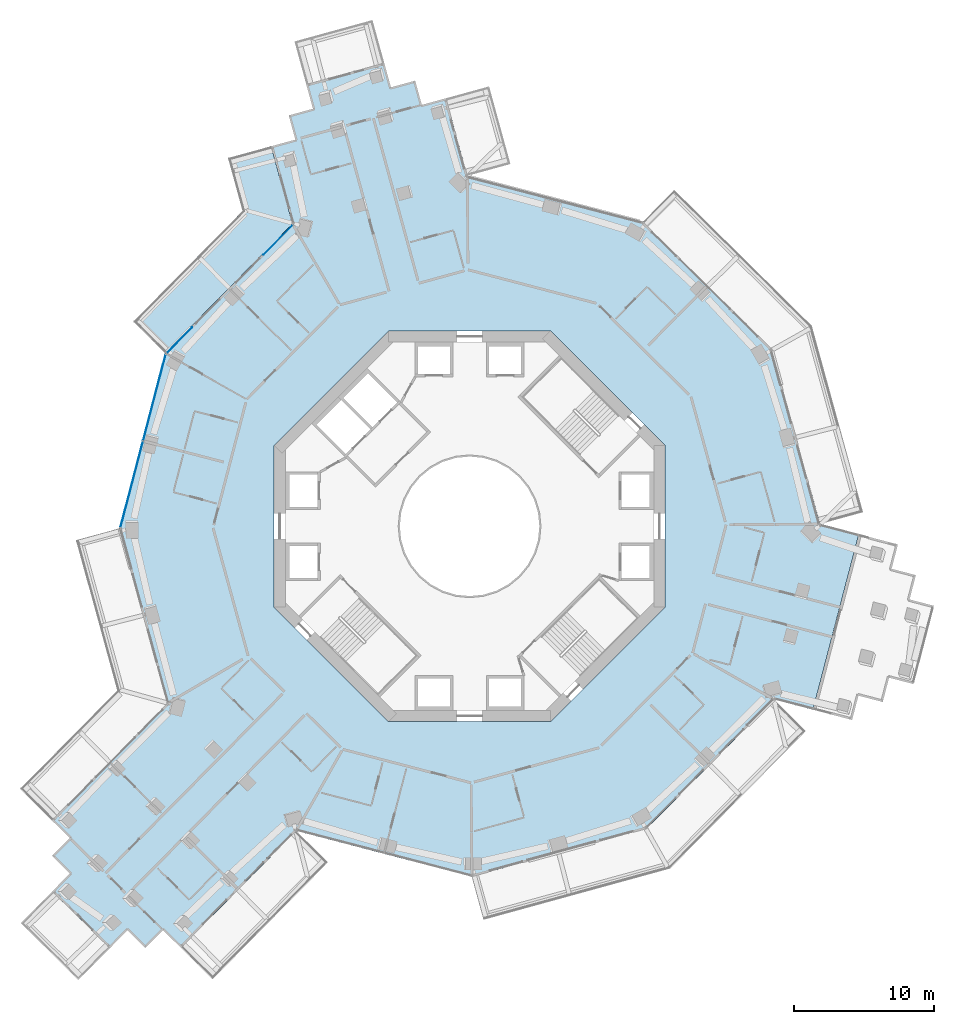
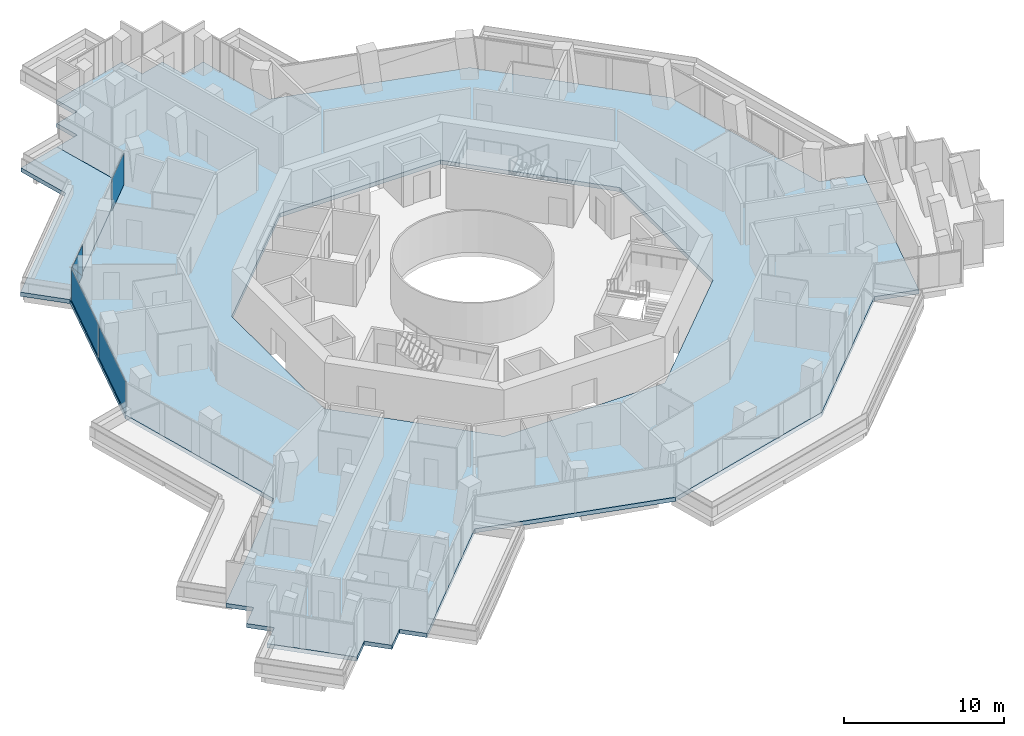
# One storey, part 15 of 26: 5 plates, 2 slabs, 2 elements without a shape of their own.
"""IFC4 building model written with IfcOpenShell, lengths in metres."""

import ifcopenshell
import ifcopenshell.guid

model = None  # the IFC model being written
_history = None  # IfcOwnerHistory: only IFC2X3 demands one
_inside = {}  # id of a spatial element -> (the spatial element, [elements in it])
_under = {}  # id of a project, library or spatial element -> (it, [spatial elements below it])
_declared = {}  # id of a project -> (the project, [libraries it declares])
_typed = {}  # id of a type object -> (the type object, [elements of that type])
_made_of = {}  # id of a material, layer set ... -> (it, [elements and type objects made of it])


def new_model(schema):
    """Start an empty IFC model of exactly this schema.

    Asked for "IFC4X3", IfcOpenShell would pick the latest addendum, in which some entities
    have other attributes; the version numbers below select the first issue.
    IFC2X3 requires an IfcOwnerHistory on every rooted entity: one is made here for all.
    """
    global model, _history
    if schema == "IFC4X3":
        model = ifcopenshell.file(schema_version=(4, 3, 0, 0))
    else:
        model = ifcopenshell.file(schema=schema)
    _inside.clear()
    _under.clear()
    _declared.clear()
    _typed.clear()
    _made_of.clear()
    _history = None
    if model.schema == "IFC2X3":
        org = make("IfcOrganization", Name="unknown")
        user = make(
            "IfcPersonAndOrganization",
            ThePerson=make("IfcPerson", FamilyName="unknown"),
            TheOrganization=org,
        )
        app = make(
            "IfcApplication",
            ApplicationDeveloper=org,
            Version="unknown",
            ApplicationFullName="unknown",
            ApplicationIdentifier="unknown",
        )
        _history = make(
            "IfcOwnerHistory",
            OwningUser=user,
            OwningApplication=app,
            ChangeAction="ADDED",
            CreationDate=0,
        )
    return model


def make(cls, **values):
    """One entity of the class cls with the attributes given. An attribute that is None is left unset."""
    return model.create_entity(
        cls, **{name: value for name, value in values.items() if value is not None}
    )


def rooted(cls, **values):
    """An entity with a GlobalId (a new one), such as an element, a storey or a relation."""
    return make(cls, GlobalId=ifcopenshell.guid.new(), OwnerHistory=_history, **values)


def si_unit(unit_type, name, prefix=None):
    """IfcSIUnit, for example si_unit("LENGTHUNIT", "METRE", prefix="MILLI")."""
    return make("IfcSIUnit", UnitType=unit_type, Prefix=prefix, Name=name)


def assignment(units):
    """IfcUnitAssignment: the units of a project."""
    return None if units is None else make("IfcUnitAssignment", Units=units)


def point(xyz):
    """IfcCartesianPoint."""
    return None if xyz is None else make("IfcCartesianPoint", Coordinates=xyz)


def direction(xyz):
    """IfcDirection."""
    return None if xyz is None else make("IfcDirection", DirectionRatios=xyz)


def frame(location, z_axis=None, x_axis=None):
    """IfcAxis2Placement3D, a coordinate frame: its origin and axes. An axis left out is left unset."""
    return make(
        "IfcAxis2Placement3D",
        Location=point(location),
        Axis=direction(z_axis),
        RefDirection=direction(x_axis),
    )


def frame_2d(location, x_axis=None):
    """IfcAxis2Placement2D, a coordinate frame in the plane: its origin and x axis."""
    return make(
        "IfcAxis2Placement2D", Location=point(location), RefDirection=direction(x_axis)
    )


def origin():
    """The frame at (0, 0, 0) with its axes left unset."""
    return frame((0.0, 0.0, 0.0))


def origin_2d():
    """The frame at (0, 0) in the plane with its x axis left unset."""
    return frame_2d((0.0, 0.0))


def place(relative_to, where):
    """IfcLocalPlacement: puts the frame where relative to a parent placement (None: the world)."""
    return make(
        "IfcLocalPlacement", PlacementRelTo=relative_to, RelativePlacement=where
    )


def context(
    kind, dimensions, precision=None, world=None, true_north=None, identifier=None
):
    """IfcGeometricRepresentationContext, for example the 3D "Model" context."""
    return make(
        "IfcGeometricRepresentationContext",
        ContextIdentifier=identifier,
        ContextType=kind,
        CoordinateSpaceDimension=dimensions,
        Precision=precision,
        WorldCoordinateSystem=world,
        TrueNorth=true_north,
    )


def subcontext(parent, identifier, kind, view, scale=None):
    """IfcGeometricRepresentationSubContext, for example "Body" below "Model"."""
    return make(
        "IfcGeometricRepresentationSubContext",
        ContextIdentifier=identifier,
        ContextType=kind,
        ParentContext=parent,
        TargetScale=scale,
        TargetView=view,
    )


def project(units=None, contexts=None):
    """IfcProject with its units and contexts."""
    return rooted(
        "IfcProject",
        Name="project",
        RepresentationContexts=contexts,
        UnitsInContext=assignment(units),
    )


def spatial(cls, under=None, at=None, **own):
    """A site, building, storey or space (cls), placed at a placement, below another one or the project."""
    s = rooted(cls, ObjectPlacement=at, **own)
    if under is not None:
        _under.setdefault(under.id(), (under, []))[1].append(s)
    return s


def polyline(points):
    """IfcPolyline through the points."""
    return make("IfcPolyline", Points=[point(p) for p in points])


def profile(cls, at=None, kind="AREA", **sizes):
    """A parametric profile (cls). Its sizes go by their IFC names, for example OverallWidth=200.0."""
    return make(cls, ProfileType=kind, Position=at, **sizes)


def rectangle(**sizes):
    """IfcRectangleProfileDef."""
    return profile("IfcRectangleProfileDef", **sizes)


def outline(outer, holes=None, kind="AREA"):
    """IfcArbitraryClosedProfileDef: a profile drawn as a closed curve; with holes, ...WithVoids."""
    if holes is None:
        return make("IfcArbitraryClosedProfileDef", ProfileType=kind, OuterCurve=outer)
    return make(
        "IfcArbitraryProfileDefWithVoids",
        ProfileType=kind,
        OuterCurve=outer,
        InnerCurves=holes,
    )


def extrude(swept, where, along, depth):
    """IfcExtrudedAreaSolid: the profile swept, set in the frame where, extruded along a direction by depth."""
    return make(
        "IfcExtrudedAreaSolid",
        SweptArea=swept,
        Position=where,
        ExtrudedDirection=direction(along),
        Depth=depth,
    )


def shape(context_of_items, identifier, shape_type, items):
    """IfcShapeRepresentation: the items that make up one representation, for example the "Body"."""
    return make(
        "IfcShapeRepresentation",
        ContextOfItems=context_of_items,
        RepresentationIdentifier=identifier,
        RepresentationType=shape_type,
        Items=items,
    )


def material(Name=None, Category=None):
    """IfcMaterial."""
    return make("IfcMaterial", Name=Name, Category=Category)


def layer(
    of_material, thickness, ventilated=None, Name=None, Category=None, Priority=None
):
    """IfcMaterialLayer: one layer of a wall or slab, of a material (None: an air gap)."""
    return make(
        "IfcMaterialLayer",
        Material=of_material,
        LayerThickness=thickness,
        IsVentilated=ventilated,
        Name=Name,
        Category=Category,
        Priority=Priority,
    )


def layer_set(layers, Name=None):
    """IfcMaterialLayerSet."""
    return make("IfcMaterialLayerSet", MaterialLayers=layers, LayerSetName=Name)


def made_of(thing, what):
    """Note that an element or type object is made of a material, layer set ...; save() writes the relation."""
    if what is not None:
        _made_of.setdefault(what.id(), (what, []))[1].append(thing)
    return thing


def type_object(cls, material=None, **own):
    """A type object (cls), such as IfcWallType, which elements share."""
    return made_of(rooted(cls, **own), material)


def element(
    cls,
    number,
    at=None,
    inside=None,
    cuts=None,
    type_object=None,
    material=None,
    context=None,
    identifier="Body",
    shape_type=None,
    held_by="IfcProductDefinitionShape",
    body=None,
    shapes=None,
    **own,
):
    """One element of the class cls, such as IfcWall. Its Tag is "e" and its number.

    at: its placement. inside: the storey or other place that contains it. cuts: it is an
    opening in that element (IfcRelVoidsElement). A single representation is given by context,
    identifier, shape_type and body (its items); several are given by shapes. held_by: the class
    of the entity that holds the representations. save() writes the other relations.
    """
    e = rooted(cls, Tag="e%d" % number, ObjectPlacement=at, **own)
    if body is not None:
        shapes = [shape(context, identifier, shape_type, body)]
    if shapes is not None:
        e.Representation = make(held_by, Representations=shapes)
    if inside is not None:
        _inside.setdefault(inside.id(), (inside, []))[1].append(e)
    if cuts is not None:
        rooted(
            "IfcRelVoidsElement", RelatingBuildingElement=cuts, RelatedOpeningElement=e
        )
    if type_object is not None:
        _typed.setdefault(type_object.id(), (type_object, []))[1].append(e)
    return made_of(e, material)


def aggregate(whole, parts):
    """IfcRelAggregates: a whole, such as a stair, and the parts it consists of."""
    return rooted("IfcRelAggregates", RelatingObject=whole, RelatedObjects=parts)


def save(model, path):
    """Write the relations noted so far, then the file.

    IfcRelAggregates (storeys below a building ...), IfcRelContainedInSpatialStructure (elements
    in a storey), IfcRelDefinesByType, IfcRelAssociatesMaterial and IfcRelDeclares: one each for
    every whole, place, type object, material and project.
    """
    for whole, parts in _under.values():
        aggregate(whole, parts)
    for where, things in _inside.values():
        rooted(
            "IfcRelContainedInSpatialStructure",
            RelatedElements=things,
            RelatingStructure=where,
        )
    for kind, things in _typed.values():
        rooted("IfcRelDefinesByType", RelatedObjects=things, RelatingType=kind)
    for what, things in _made_of.values():
        rooted("IfcRelAssociatesMaterial", RelatedObjects=things, RelatingMaterial=what)
    for by, libraries in _declared.values():
        rooted("IfcRelDeclares", RelatingContext=by, RelatedDefinitions=libraries)
    model.write(path)


model = new_model("IFC4")

# Units and contexts
model_context = context("Model", 3, precision=1e-05, world=origin(), true_north=direction((0.0, 1.0)))
body_context = subcontext(model_context, "Body", "Model", "MODEL_VIEW")
ifc_project = project(units=[si_unit("LENGTHUNIT", "METRE"), si_unit("AREAUNIT", "SQUARE_METRE"), si_unit("VOLUMEUNIT", "CUBIC_METRE"), si_unit("PLANEANGLEUNIT", "RADIAN"), si_unit("MASSUNIT", "GRAM", prefix="KILO")], contexts=[model_context])

# Site, building, storey
site_placement = place(None, origin())
site = spatial("IfcSite", under=ifc_project, at=site_placement, CompositionType="ELEMENT")
building_placement = place(site_placement, origin())
building = spatial("IfcBuilding", under=site, at=building_placement, Name="Verdalira Terraces Hotel", CompositionType="ELEMENT")
storey_placement = place(building_placement, frame((0.0, 0.0, 96.5)))
storey = spatial("IfcBuildingStorey", under=building, at=storey_placement, Name="L22", CompositionType="ELEMENT", Elevation=96.5)

# Slab
ifc_material_1 = material(Name="Precast concrete C40/50", Category="concrete")
ifc_layer_1 = layer(ifc_material_1, 0.31005859375)
ifc_layer_set_1 = layer_set([ifc_layer_1], Name="Balcony deck 310")
slab_type_1 = type_object("IfcSlabType", Name="Balcony deck 310", PredefinedType="FLOOR", material=ifc_layer_set_1)
slab_1_placement = place(storey_placement, frame((0.0, 0.0, -0.310059)))
element("IfcSlab", 1, at=slab_1_placement, inside=storey, type_object=slab_type_1, Name="Balcony deck", PredefinedType="FLOOR", context=body_context, shape_type="SweptSolid", body=[
    extrude(outline(polyline([(-16.268555, 22.604004), (-24.104736, 14.668701), (-21.827881, 12.420166), (-12.693359, 21.670166), (-14.221924, 27.234375), (-17.307617, 26.386719), (-16.268555, 22.604004)])), origin(), (0.0, 0.0, 1.0), 0.310059),
])

# Curtain wall, plates
ifc_material_2 = material(Name="Clear glass", Category="glass")
ifc_layer_2 = layer(ifc_material_2, 0.14990234375)
ifc_layer_set_2 = layer_set([ifc_layer_2], Name="CW1 curtain wall")
curtain_wall_type = type_object("IfcCurtainWallType", Name="CW1 curtain wall", PredefinedType="NOTDEFINED", material=ifc_layer_set_2)
curtain_wall_1_placement = place(storey_placement, origin())
curtain_wall_1 = element("IfcCurtainWall", 2, at=curtain_wall_1_placement, inside=storey, type_object=curtain_wall_type, Name="CW1 curtain wall L22 edge 11", PredefinedType="NOTDEFINED")
ifc_material_3 = material(Name="Clear glass", Category="glass")
ifc_layer_3 = layer(ifc_material_3, 0.028076171875)
ifc_layer_set_3 = layer_set([ifc_layer_3], Name="CW1 glass unit 28")
plate_type = type_object("IfcPlateType", Name="CW1 glass unit 28", PredefinedType="CURTAIN_PANEL", material=ifc_layer_set_3)
plate_1_placement = place(storey_placement, frame((-13.723877, 20.519775, 0.0), z_axis=(0.0, 0.0, 1.0), x_axis=(-0.70264997, -0.711535677, 0.0)))
plate_1 = element("IfcPlate", 3, at=plate_1_placement, type_object=plate_type, Name="CW1 glass unit", PredefinedType="CURTAIN_PANEL", context=body_context, shape_type="SweptSolid", body=[
    extrude(rectangle(XDim=2.965088, YDim=0.028076, at=origin_2d()), origin(), (0.0, 0.0, 1.0), 2.425049),
])
plate_2_placement = place(storey_placement, frame((-20.793213, 13.341309, 1.212402), z_axis=(-0.711535677, 0.70264997, 0.0), x_axis=(-0.70264997, -0.711535677, 0.0)))
plate_2 = element("IfcPlate", 4, at=plate_2_placement, type_object=plate_type, Name="CW1 glass unit", PredefinedType="CURTAIN_PANEL", context=body_context, shape_type="SweptSolid", body=[
    extrude(outline(polyline([(-1.282227, -1.212402), (1.282227, -1.212402), (1.282227, 1.212402), (-1.282227, -1.212402)])), origin(), (0.0, 0.0, 1.0), 0.028076),
])
plate_3_placement = place(storey_placement, frame((-20.772461, 13.320801, 1.212402), z_axis=(-0.711535677, 0.70264997, 0.0), x_axis=(-0.70264997, -0.711535677, 0.0)))
plate_3 = element("IfcPlate", 5, at=plate_3_placement, type_object=plate_type, Name="CW1 glass unit", PredefinedType="CURTAIN_PANEL", context=body_context, shape_type="SweptSolid", body=[
    extrude(outline(polyline([(-1.282227, -1.212402), (1.282227, 1.212402), (-1.282227, 1.212402), (-1.282227, -1.212402)])), origin(), (0.0, 0.0, 1.0), 0.028076),
])
aggregate(curtain_wall_1, [plate_1, plate_2, plate_3])

curtain_wall_2_placement = place(storey_placement, origin())
curtain_wall_2 = element("IfcCurtainWall", 6, at=curtain_wall_2_placement, inside=storey, type_object=curtain_wall_type, Name="CW1 curtain wall L22 edge 12", PredefinedType="NOTDEFINED")
plate_4_placement = place(storey_placement, frame((-22.585693, 9.222656, 0.0), z_axis=(0.0, 0.0, 1.0), x_axis=(-0.252744885, -0.967532957, 0.0)))
plate_4 = element("IfcPlate", 7, at=plate_4_placement, type_object=plate_type, Name="CW1 glass unit", PredefinedType="CURTAIN_PANEL", context=body_context, shape_type="SweptSolid", body=[
    extrude(rectangle(XDim=6.369873, YDim=0.028076, at=origin_2d()), origin(), (0.0, 0.0, 1.0), 2.425049),
])
plate_5_placement = place(storey_placement, frame((-24.210693, 3.001709, 0.0), z_axis=(0.0, 0.0, 1.0), x_axis=(-0.252744885, -0.967532957, 0.0)))
plate_5 = element("IfcPlate", 8, at=plate_5_placement, type_object=plate_type, Name="CW1 glass unit", PredefinedType="CURTAIN_PANEL", context=body_context, shape_type="SweptSolid", body=[
    extrude(rectangle(XDim=6.369873, YDim=0.028076, at=origin_2d()), origin(), (0.0, 0.0, 1.0), 2.425049),
])
aggregate(curtain_wall_2, [plate_4, plate_5])

# Slab
ifc_material_4 = material(Name="Concrete C40", Category="concrete")
ifc_layer_4 = layer(ifc_material_4, 0.31005859375)
ifc_layer_set_4 = layer_set([ifc_layer_4], Name="Floor slab 310 C40")
slab_type_2 = type_object("IfcSlabType", Name="Floor slab 310 C40", PredefinedType="FLOOR", material=ifc_layer_set_4)
slab_2_placement = place(storey_placement, frame((0.0, 0.0, -0.310059)))
element("IfcSlab", 9, at=slab_2_placement, inside=storey, type_object=slab_type_2, Name="Floor slab L22", PredefinedType="FLOOR", context=body_context, shape_type="SweptSolid", body=[
    extrude(outline(polyline([(12.693359, -21.670166), (21.827881, -12.420166), (24.604492, -13.145508), (27.890381, -0.567627), (25.113525, 0.157715), (21.670166, 12.693359), (12.420166, 21.827881), (-0.157715, 25.113525), (-1.686279, 30.677734), (-3.422119, 30.201172), (-3.898682, 31.936768), (-5.634521, 31.459961), (-6.111328, 33.195801), (-11.704102, 31.659424), (-11.227295, 29.923584), (-12.962891, 29.447021), (-12.486084, 27.711182), (-14.221924, 27.234375), (-12.693359, 21.670166), (-21.827881, 12.420166), (-25.113525, -0.157715), (-21.670166, -12.693359), (-29.940674, -21.068604), (-28.659912, -22.333252), (-29.924561, -23.614014), (-28.643799, -24.878906), (-29.908691, -26.159668), (-25.781738, -30.234863), (-24.516846, -28.954102), (-23.236084, -30.218994), (-21.971436, -28.938232), (-20.690674, -30.202881), (-12.420166, -21.827881), (0.157715, -25.113525), (12.693359, -21.670166)]), holes=[polyline([(5.799072, 14.0), (14.0, 5.799072), (14.0, -5.799072), (5.799072, -14.0), (-5.799072, -14.0), (-14.0, -5.799072), (-14.0, 5.799072), (-5.799072, 14.0), (5.799072, 14.0)])]), origin(), (0.0, 0.0, 1.0), 0.310059),
])

save(model, "model.ifc")
